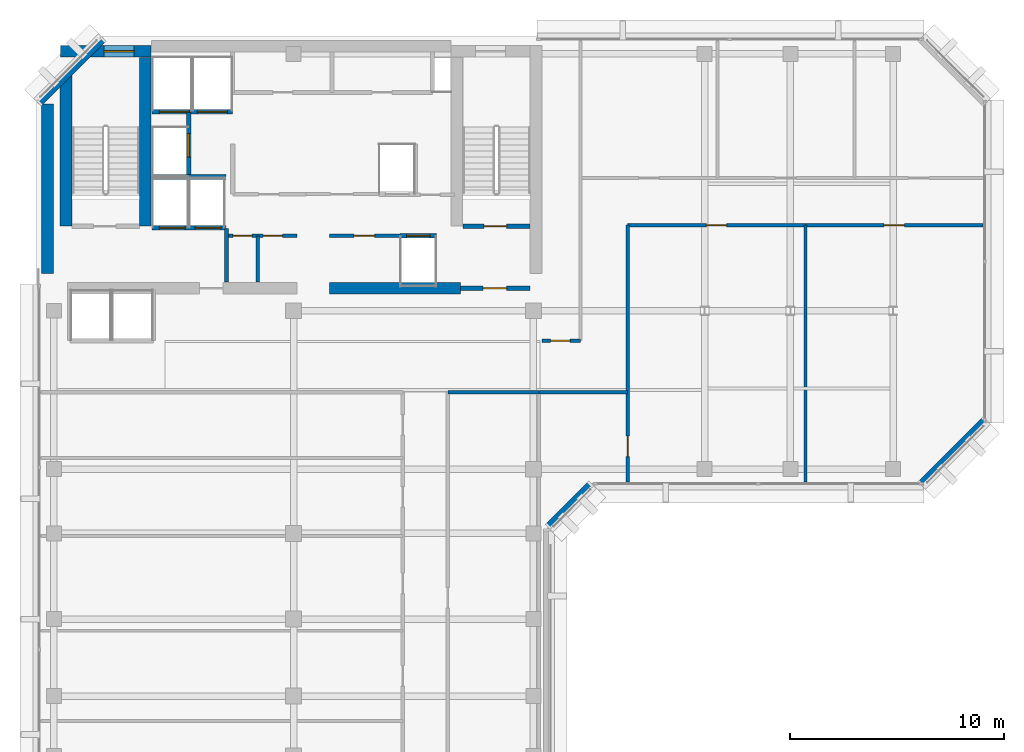
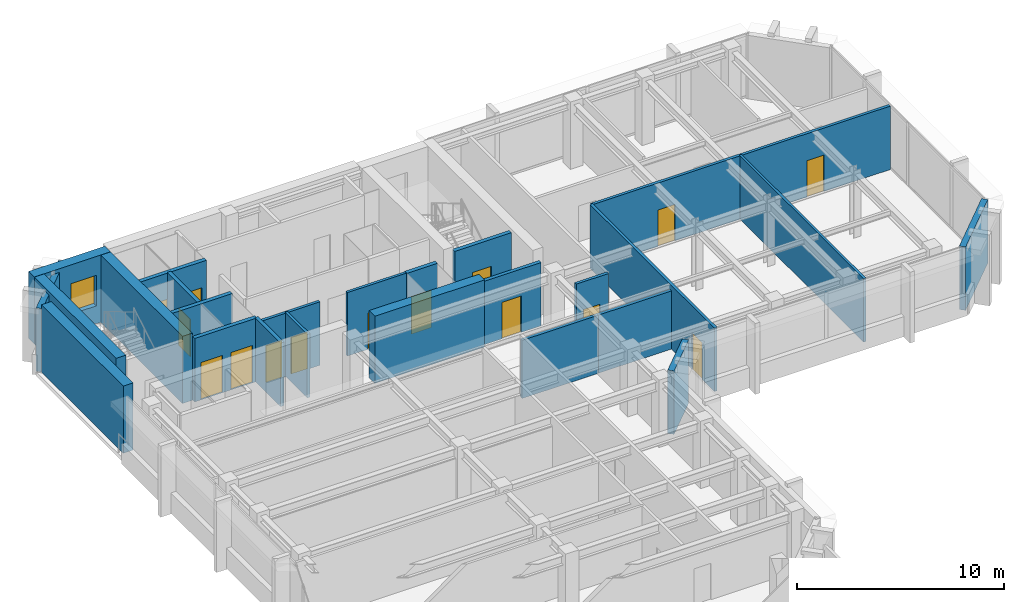
# One storey, part 7 of 11: 25 walls, 15 doors, 1 window, 16 openings.
"""IFC4 building model written with IfcOpenShell, lengths in metres."""

from ifc_helpers import new_model, si_unit, direction, frame, frame_2d, origin, place, context, subcontext, project, spatial, rectangle, extrude, material, layer, layer_set, type_object, element, fill, save


model = new_model("IFC4")

# Units and contexts
model_context = context("Model", 3, precision=1e-05, world=origin(), true_north=direction((0.0, 1.0)))
body_context = subcontext(model_context, "Body", "Model", "MODEL_VIEW")
ifc_project = project(units=[si_unit("LENGTHUNIT", "METRE"), si_unit("AREAUNIT", "SQUARE_METRE"), si_unit("VOLUMEUNIT", "CUBIC_METRE"), si_unit("PLANEANGLEUNIT", "RADIAN"), si_unit("MASSUNIT", "GRAM", prefix="KILO")], contexts=[model_context])

# Site, building, storey
site_placement = place(None, origin())
site = spatial("IfcSite", under=ifc_project, at=site_placement, CompositionType="ELEMENT")
building_placement = place(site_placement, origin())
building = spatial("IfcBuilding", under=site, at=building_placement, Name="Kefirva Bronze Tower", CompositionType="ELEMENT")
storey_placement = place(building_placement, frame((0.0, 0.0, 315.81005859375)))
storey = spatial("IfcBuildingStorey", under=building, at=storey_placement, Name="L77", CompositionType="ELEMENT", Elevation=315.81005859375)

# Wall
ifc_material_1 = material(Name="Gypsum acoustic partition")
ifc_layer_1 = layer(ifc_material_1, 0.1298828125, Name="Gypsum acoustic partition")
ifc_layer_set_1 = layer_set([ifc_layer_1], Name="Gypsum acoustic partition")
wall_type_1 = type_object("IfcWallType", Name="Acoustic Office Partition 130mm", PredefinedType="PARTITIONING", material=ifc_layer_set_1)
wall_1_placement = place(storey_placement, frame((35.905029296875, 25.18994140625, 0.0), z_axis=(0.0, 0.0, 1.0), x_axis=(0.0, 1.0, 0.0)))
element("IfcWall", 1, at=wall_1_placement, inside=storey, type_object=wall_type_1, Name="L77 Partition W-L77-ESD1", PredefinedType="PARTITIONING", context=body_context, shape_type="SweptSolid", body=[
    extrude(rectangle(XDim=12.010009765625, YDim=0.1298828125, at=frame_2d((6.0048828125, 0.0))), origin(), (0.0, 0.0, 1.0), 3.739990234375),
])

# Wall, opening, door
ifc_layer_2 = layer(ifc_material_1, 0.14990234375, Name="Gypsum acoustic partition")
ifc_layer_set_2 = layer_set([ifc_layer_2], Name="Gypsum acoustic partition")
wall_type_2 = type_object("IfcWallType", Name="Executive Suite Partition 150mm", PredefinedType="PARTITIONING", material=ifc_layer_set_2)
wall_2_placement = place(storey_placement, frame((13.679931640625, 36.699951171875, 0.0), z_axis=(0.0, 0.0, 1.0), x_axis=(1.0, 0.0, 0.0)))
wall_2 = element("IfcWall", 2, at=wall_2_placement, inside=storey, type_object=wall_type_2, Name="L77 Partition W-L77-RECMP1", PredefinedType="PARTITIONING", context=body_context, shape_type="SweptSolid", body=[
    extrude(rectangle(XDim=3.280029296875, YDim=0.14990234375, at=frame_2d((1.64013671875, 0.0))), origin(), (0.0, 0.0, 1.0), 3.739990234375),
])
opening_1_placement = place(wall_2_placement, frame((1.14990234375, 0.0, 0.0)))
opening_1 = element("IfcOpeningElement", 3, at=opening_1_placement, cuts=wall_2, Name="Opening L77-D-RECMP1", PredefinedType="OPENING", context=body_context, shape_type="SweptSolid", body=[
    extrude(rectangle(XDim=0.949951171875, YDim=2.14990234375, at=frame_2d((0.47509765625, 1.074951171875))), frame((0.0, 0.0849609375, 0.0), z_axis=(0.0, -1.0, 0.0), x_axis=(1.0, 0.0, 0.0)), (0.0, 0.0, 1.0), 0.169921875),
])
ifc_material_2 = material(Name="Acoustic hardwood oak", Category="wood")
door_type_1 = type_object("IfcDoorType", Name="Office & Meeting Room Door 950x2150", OperationType="NOTDEFINED", PredefinedType="DOOR", material=ifc_material_2)
door_1_placement = place(opening_1_placement, origin())
door_1 = element("IfcDoor", 4, at=door_1_placement, inside=storey, type_object=door_type_1, Name="Door L77-D-RECMP1", OperationType="SINGLE_SWING_LEFT", OverallHeight=2.14990234375, OverallWidth=0.949951171875, PredefinedType="DOOR", context=body_context, shape_type="SweptSolid", body=[
    extrude(rectangle(XDim=0.949951171875, YDim=2.14990234375, at=frame_2d((0.47509765625, 1.074951171875))), frame((0.0, 0.02490234375, 0.0), z_axis=(0.0, -1.0, 0.0), x_axis=(1.0, 0.0, 0.0)), (0.0, 0.0, 1.0), 0.050048828125),
])
fill(opening_1, door_1)

ifc_material_3 = material(Name="Gypsum fireboard shaftwall")
ifc_layer_3 = layer(ifc_material_3, 0.219970703125, Name="Gypsum fireboard shaftwall")
ifc_layer_set_3 = layer_set([ifc_layer_3], Name="Gypsum fireboard shaftwall")
wall_type_3 = type_object("IfcWallType", Name="Fire-Rated Shaft Enclosure Wall 220mm", PredefinedType="PARTITIONING", material=ifc_layer_set_3)
wall_3_placement = place(storey_placement, frame((19.89990234375, 37.14990234375, 0.0), z_axis=(0.0, 0.0, 1.0), x_axis=(1.0, 0.0, 0.0)))
wall_3 = element("IfcWall", 5, at=wall_3_placement, inside=storey, type_object=wall_type_3, Name="L77 Partition W-L77-ST2S", PredefinedType="PARTITIONING", context=body_context, shape_type="SweptSolid", body=[
    extrude(rectangle(XDim=3.150146484375, YDim=0.219970703125, at=frame_2d((1.5751953125, 0.0))), origin(), (0.0, 0.0, 1.0), 3.739990234375),
])
opening_2_placement = place(wall_3_placement, frame((2.050048828125, 0.0, 0.0), z_axis=(0.0, 0.0, 1.0), x_axis=(-1.0, 0.0, 0.0)))
opening_2 = element("IfcOpeningElement", 6, at=opening_2_placement, cuts=wall_3, Name="Opening L77-D003", PredefinedType="OPENING", context=body_context, shape_type="SweptSolid", body=[
    extrude(rectangle(XDim=1.050048828125, YDim=2.14990234375, at=frame_2d((0.52490234375, 1.074951171875))), frame((0.0, 0.1201171875, 0.0), z_axis=(0.0, -1.0, 0.0), x_axis=(1.0, 0.0, 0.0)), (0.0, 0.0, 1.0), 0.239990234375),
])
ifc_material_4 = material(Name="Painted galvanized steel", Category="steel")
door_type_2 = type_object("IfcDoorType", Name="Fire Stair Enclosure Door 1050x2150 FD90S", OperationType="NOTDEFINED", PredefinedType="DOOR", material=ifc_material_4)
door_2_placement = place(opening_2_placement, origin())
door_2 = element("IfcDoor", 7, at=door_2_placement, inside=storey, type_object=door_type_2, Name="Door L77-D003", OperationType="SINGLE_SWING_LEFT", OverallHeight=2.14990234375, OverallWidth=1.050048828125, PredefinedType="DOOR", context=body_context, shape_type="SweptSolid", body=[
    extrude(rectangle(XDim=1.050048828125, YDim=2.14990234375, at=frame_2d((0.52490234375, 1.074951171875))), frame((0.0, 0.02490234375, 0.0), z_axis=(0.0, -1.0, 0.0), x_axis=(1.0, 0.0, 0.0)), (0.0, 0.0, 1.0), 0.050048828125),
])
fill(opening_2, door_2)

# Wall, openings, doors
wall_4_placement = place(storey_placement, frame((5.3798828125, 37.080078125, 0.0), z_axis=(0.0, 0.0, 1.0), x_axis=(1.0, 0.0, 0.0)))
wall_4 = element("IfcWall", 8, at=wall_4_placement, inside=storey, type_object=wall_type_3, Name="L77 Partition W-L77-FFS", PredefinedType="PARTITIONING", context=body_context, shape_type="SweptSolid", body=[
    extrude(rectangle(XDim=3.460205078125, YDim=0.219970703125, at=frame_2d((1.72998046875, 0.0))), origin(), (0.0, 0.0, 1.0), 3.739990234375),
])
opening_3_placement = place(wall_4_placement, frame((1.550048828125, 0.0, 0.0), z_axis=(0.0, 0.0, 1.0), x_axis=(-1.0, 0.0, 0.0)))
opening_3 = element("IfcOpeningElement", 9, at=opening_3_placement, cuts=wall_4, Name="Opening L77-LD-FF1", PredefinedType="OPENING", context=body_context, shape_type="SweptSolid", body=[
    extrude(rectangle(XDim=1.199951171875, YDim=2.199951171875, at=frame_2d((0.60009765625, 1.10009765625))), frame((0.0, 0.1201171875, 0.0), z_axis=(0.0, -1.0, 0.0), x_axis=(1.0, 0.0, 0.0)), (0.0, 0.0, 1.0), 0.239990234375),
])
opening_4_placement = place(wall_4_placement, frame((3.219970703125, 0.0, 0.0), z_axis=(0.0, 0.0, 1.0), x_axis=(-1.0, 0.0, 0.0)))
opening_4 = element("IfcOpeningElement", 10, at=opening_4_placement, cuts=wall_4, Name="Opening L77-LD-FF2", PredefinedType="OPENING", context=body_context, shape_type="SweptSolid", body=[
    extrude(rectangle(XDim=1.199951171875, YDim=2.199951171875, at=frame_2d((0.60009765625, 1.10009765625))), frame((0.0, 0.1201171875, 0.0), z_axis=(0.0, -1.0, 0.0), x_axis=(1.0, 0.0, 0.0)), (0.0, 0.0, 1.0), 0.239990234375),
])
ifc_material_5 = material(Name="Stainless steel 316", Category="steel")
door_type_3 = type_object("IfcDoorType", Name="Firefighting Lift Sliding Door 1200x2200", OperationType="SLIDING_TO_RIGHT", PredefinedType="DOOR", material=ifc_material_5)
door_3_placement = place(opening_3_placement, origin())
door_3 = element("IfcDoor", 11, at=door_3_placement, inside=storey, type_object=door_type_3, Name="Door L77-LD-FF1", OperationType="SLIDING_TO_RIGHT", OverallHeight=2.199951171875, OverallWidth=1.199951171875, PredefinedType="DOOR", context=body_context, shape_type="SweptSolid", body=[
    extrude(rectangle(XDim=1.199951171875, YDim=2.199951171875, at=frame_2d((0.60009765625, 1.10009765625))), frame((0.0, 0.02490234375, 0.0), z_axis=(0.0, -1.0, 0.0), x_axis=(1.0, 0.0, 0.0)), (0.0, 0.0, 1.0), 0.050048828125),
])
fill(opening_3, door_3)
door_4_placement = place(opening_4_placement, origin())
door_4 = element("IfcDoor", 12, at=door_4_placement, inside=storey, type_object=door_type_3, Name="Door L77-LD-FF2", OperationType="SLIDING_TO_RIGHT", OverallHeight=2.199951171875, OverallWidth=1.199951171875, PredefinedType="DOOR", context=body_context, shape_type="SweptSolid", body=[
    extrude(rectangle(XDim=1.199951171875, YDim=2.199951171875, at=frame_2d((0.60009765625, 1.10009765625))), frame((0.0, 0.02490234375, 0.0), z_axis=(0.0, -1.0, 0.0), x_axis=(1.0, 0.0, 0.0)), (0.0, 0.0, 1.0), 0.050048828125),
])
fill(opening_4, door_4)

# Wall
wall_5_placement = place(storey_placement, frame((5.3798828125, 39.449951171875, 0.0), z_axis=(0.0, 0.0, 1.0), x_axis=(1.0, 0.0, 0.0)))
element("IfcWall", 13, at=wall_5_placement, inside=storey, type_object=wall_type_3, Name="L77 Partition W-L77-FFN", PredefinedType="PARTITIONING", context=body_context, shape_type="SweptSolid", body=[
    extrude(rectangle(XDim=3.460205078125, YDim=0.219970703125, at=frame_2d((1.72998046875, 0.0))), origin(), (0.0, 0.0, 1.0), 3.739990234375),
])

# Wall, openings, doors
wall_6_placement = place(storey_placement, frame((5.3798828125, 42.5, 0.0), z_axis=(0.0, 0.0, 1.0), x_axis=(1.0, 0.0, 0.0)))
wall_6 = element("IfcWall", 14, at=wall_6_placement, inside=storey, type_object=wall_type_3, Name="L77 Partition W-L77-SVS", PredefinedType="PARTITIONING", context=body_context, shape_type="SweptSolid", body=[
    extrude(rectangle(XDim=3.77001953125, YDim=0.219970703125, at=frame_2d((1.885009765625, 0.0))), origin(), (0.0, 0.0, 1.0), 3.739990234375),
])
opening_5_placement = place(wall_6_placement, frame((1.75, 0.0, 0.0), z_axis=(0.0, 0.0, 1.0), x_axis=(-1.0, 0.0, 0.0)))
opening_5 = element("IfcOpeningElement", 15, at=opening_5_placement, cuts=wall_6, Name="Opening L77-LD-SV1", PredefinedType="OPENING", context=body_context, shape_type="SweptSolid", body=[
    extrude(rectangle(XDim=1.39990234375, YDim=2.199951171875, at=frame_2d((0.699951171875, 1.10009765625))), frame((0.0, 0.1201171875, 0.0), z_axis=(0.0, -1.0, 0.0), x_axis=(1.0, 0.0, 0.0)), (0.0, 0.0, 1.0), 0.239990234375),
])
opening_6_placement = place(wall_6_placement, frame((3.52978515625, 0.0, 0.0), z_axis=(0.0, 0.0, 1.0), x_axis=(-1.0, 0.0, 0.0)))
opening_6 = element("IfcOpeningElement", 16, at=opening_6_placement, cuts=wall_6, Name="Opening L77-LD-SV2", PredefinedType="OPENING", context=body_context, shape_type="SweptSolid", body=[
    extrude(rectangle(XDim=1.39990234375, YDim=2.199951171875, at=frame_2d((0.699951171875, 1.10009765625))), frame((0.0, 0.1201171875, 0.0), z_axis=(0.0, -1.0, 0.0), x_axis=(1.0, 0.0, 0.0)), (0.0, 0.0, 1.0), 0.239990234375),
])
door_type_4 = type_object("IfcDoorType", Name="Goods Lift Bi-Parting Sliding Door 1400x2200", OperationType="SLIDING_TO_LEFT", PredefinedType="DOOR", material=ifc_material_5)
door_5_placement = place(opening_5_placement, origin())
door_5 = element("IfcDoor", 17, at=door_5_placement, inside=storey, type_object=door_type_4, Name="Door L77-LD-SV1", OperationType="SLIDING_TO_LEFT", OverallHeight=2.199951171875, OverallWidth=1.39990234375, PredefinedType="DOOR", context=body_context, shape_type="SweptSolid", body=[
    extrude(rectangle(XDim=1.39990234375, YDim=2.199951171875, at=frame_2d((0.699951171875, 1.10009765625))), frame((0.0, 0.02490234375, 0.0), z_axis=(0.0, -1.0, 0.0), x_axis=(1.0, 0.0, 0.0)), (0.0, 0.0, 1.0), 0.050048828125),
])
fill(opening_5, door_5)
door_6_placement = place(opening_6_placement, origin())
door_6 = element("IfcDoor", 18, at=door_6_placement, inside=storey, type_object=door_type_4, Name="Door L77-LD-SV2", OperationType="SLIDING_TO_LEFT", OverallHeight=2.199951171875, OverallWidth=1.39990234375, PredefinedType="DOOR", context=body_context, shape_type="SweptSolid", body=[
    extrude(rectangle(XDim=1.39990234375, YDim=2.199951171875, at=frame_2d((0.699951171875, 1.10009765625))), frame((0.0, 0.02490234375, 0.0), z_axis=(0.0, -1.0, 0.0), x_axis=(1.0, 0.0, 0.0)), (0.0, 0.0, 1.0), 0.050048828125),
])
fill(opening_6, door_6)

# Wall, opening, door
wall_7_placement = place(storey_placement, frame((7.10009765625, 39.52001953125, 0.0), z_axis=(0.0, 0.0, 1.0), x_axis=(0.0, 1.0, 0.0)))
wall_7 = element("IfcWall", 19, at=wall_7_placement, inside=storey, type_object=wall_type_3, Name="L77 Partition W-L77-HP3E", PredefinedType="PARTITIONING", context=body_context, shape_type="SweptSolid", body=[
    extrude(rectangle(XDim=2.929931640625, YDim=0.219970703125, at=frame_2d((1.46484375, 0.0))), origin(), (0.0, 0.0, 1.0), 3.739990234375),
])
opening_7_placement = place(wall_7_placement, frame((0.85009765625, 0.0, 0.0)))
opening_7 = element("IfcOpeningElement", 20, at=opening_7_placement, cuts=wall_7, Name="Opening L77-LD-HP3", PredefinedType="OPENING", context=body_context, shape_type="SweptSolid", body=[
    extrude(rectangle(XDim=1.10009765625, YDim=2.199951171875, at=frame_2d((0.550048828125, 1.10009765625))), frame((0.0, 0.1201171875, 0.0), z_axis=(0.0, -1.0, 0.0), x_axis=(1.0, 0.0, 0.0)), (0.0, 0.0, 1.0), 0.239990234375),
])
door_type_5 = type_object("IfcDoorType", Name="Passenger Lift Sliding Landing Door 1100x2200", OperationType="SLIDING_TO_LEFT", PredefinedType="DOOR", material=ifc_material_5)
door_7_placement = place(opening_7_placement, origin())
door_7 = element("IfcDoor", 21, at=door_7_placement, inside=storey, type_object=door_type_5, Name="Door L77-LD-HP3", OperationType="SLIDING_TO_LEFT", OverallHeight=2.199951171875, OverallWidth=1.10009765625, PredefinedType="DOOR", context=body_context, shape_type="SweptSolid", body=[
    extrude(rectangle(XDim=1.10009765625, YDim=2.199951171875, at=frame_2d((0.550048828125, 1.10009765625))), frame((0.0, 0.02490234375, 0.0), z_axis=(0.0, -1.0, 0.0), x_axis=(1.0, 0.0, 0.0)), (0.0, 0.0, 1.0), 0.050048828125),
])
fill(opening_7, door_7)

wall_8_placement = place(storey_placement, frame((16.97998046875, 36.699951171875, 0.0), z_axis=(0.0, 0.0, 1.0), x_axis=(1.0, 0.0, 0.0)))
wall_8 = element("IfcWall", 22, at=wall_8_placement, inside=storey, type_object=wall_type_3, Name="L77 Partition W-L77-HPS", PredefinedType="PARTITIONING", context=body_context, shape_type="SweptSolid", body=[
    extrude(rectangle(XDim=1.699951171875, YDim=0.219970703125, at=frame_2d((0.85009765625, 0.0))), origin(), (0.0, 0.0, 1.0), 3.739990234375),
])
opening_8_placement = place(wall_8_placement, frame((0.300048828125, 0.0, 0.0)))
opening_8 = element("IfcOpeningElement", 23, at=opening_8_placement, cuts=wall_8, Name="Opening L77-LD-HP1", PredefinedType="OPENING", context=body_context, shape_type="SweptSolid", body=[
    extrude(rectangle(XDim=1.10009765625, YDim=2.199951171875, at=frame_2d((0.550048828125, 1.10009765625))), frame((0.0, 0.1201171875, 0.0), z_axis=(0.0, -1.0, 0.0), x_axis=(1.0, 0.0, 0.0)), (0.0, 0.0, 1.0), 0.239990234375),
])
door_8_placement = place(opening_8_placement, origin())
door_8 = element("IfcDoor", 24, at=door_8_placement, inside=storey, type_object=door_type_5, Name="Door L77-LD-HP1", OperationType="SLIDING_TO_LEFT", OverallHeight=2.199951171875, OverallWidth=1.10009765625, PredefinedType="DOOR", context=body_context, shape_type="SweptSolid", body=[
    extrude(rectangle(XDim=1.10009765625, YDim=2.199951171875, at=frame_2d((0.550048828125, 1.10009765625))), frame((0.0, 0.02490234375, 0.0), z_axis=(0.0, -1.0, 0.0), x_axis=(1.0, 0.0, 0.0)), (0.0, 0.0, 1.0), 0.050048828125),
])
fill(opening_8, door_8)

# Wall
ifc_material_6 = material(Name="Gypsum fireboard barrier")
ifc_layer_4 = layer(ifc_material_6, 0.199951171875, Name="Gypsum fireboard barrier")
ifc_layer_set_4 = layer_set([ifc_layer_4], Name="Gypsum fireboard barrier")
wall_type_4 = type_object("IfcWallType", Name="Firefighting Lobby Barrier Wall 200mm", PredefinedType="PARTITIONING", material=ifc_layer_set_4)
wall_9_placement = place(storey_placement, frame((8.860107421875, 34.550048828125, 0.0), z_axis=(0.0, 0.0, 1.0), x_axis=(0.0, 1.0, 0.0)))
element("IfcWall", 25, at=wall_9_placement, inside=storey, type_object=wall_type_4, Name="L77 Partition W-L77-FFLE", PredefinedType="PARTITIONING", context=body_context, shape_type="SweptSolid", body=[
    extrude(rectangle(XDim=2.5, YDim=0.199951171875, at=frame_2d((1.25, 0.0))), origin(), (0.0, 0.0, 1.0), 3.739990234375),
])

# Wall, opening, door
wall_10_placement = place(storey_placement, frame((19.800048828125, 34.25, 0.0), z_axis=(0.0, 0.0, 1.0), x_axis=(1.0, 0.0, 0.0)))
wall_10 = element("IfcWall", 26, at=wall_10_placement, inside=storey, type_object=wall_type_4, Name="L77 Partition W-L77-ST2F", PredefinedType="PARTITIONING", context=body_context, shape_type="SweptSolid", body=[
    extrude(rectangle(XDim=3.25, YDim=0.199951171875, at=frame_2d((1.625, 0.0))), origin(), (0.0, 0.0, 1.0), 3.739990234375),
])
opening_9_placement = place(wall_10_placement, frame((2.150146484375, 0.0, 0.0), z_axis=(0.0, 0.0, 1.0), x_axis=(-1.0, 0.0, 0.0)))
opening_9 = element("IfcOpeningElement", 27, at=opening_9_placement, cuts=wall_10, Name="Opening L77-D004", PredefinedType="OPENING", context=body_context, shape_type="SweptSolid", body=[
    extrude(rectangle(XDim=1.10009765625, YDim=2.14990234375, at=frame_2d((0.550048828125, 1.074951171875))), frame((0.0, 0.10986328125, 0.0), z_axis=(0.0, -1.0, 0.0), x_axis=(1.0, 0.0, 0.0)), (0.0, 0.0, 1.0), 0.219970703125),
])
door_type_6 = type_object("IfcDoorType", Name="Firefighting Lobby Smoke Door 1100x2150 FD60S", OperationType="NOTDEFINED", PredefinedType="DOOR", material=ifc_material_4)
door_9_placement = place(opening_9_placement, origin())
door_9 = element("IfcDoor", 28, at=door_9_placement, inside=storey, type_object=door_type_6, Name="Door L77-D004", OperationType="SINGLE_SWING_RIGHT", OverallHeight=2.14990234375, OverallWidth=1.10009765625, PredefinedType="DOOR", context=body_context, shape_type="SweptSolid", body=[
    extrude(rectangle(XDim=1.10009765625, YDim=2.14990234375, at=frame_2d((0.550048828125, 1.074951171875))), frame((0.0, 0.02490234375, 0.0), z_axis=(0.0, -1.0, 0.0), x_axis=(1.0, 0.0, 0.0)), (0.0, 0.0, 1.0), 0.050048828125),
])
fill(opening_9, door_9)

# Walls
ifc_material_7 = material(Name="Precast concrete C40/50", Category="concrete")
ifc_layer_5 = layer(ifc_material_7, 0.320068359375, Name="Precast concrete C40/50")
ifc_layer_set_5 = layer_set([ifc_layer_5], Name="Precast concrete C40/50")
wall_type_5 = type_object("IfcWallType", Name="Precast Insulated Exterior Wall 320mm", PredefinedType="SOLIDWALL", material=ifc_layer_set_5)
wall_11_placement = place(storey_placement, frame((23.92578125, 23.152099609375, 0.0), z_axis=(0.0, 0.0, 1.0), x_axis=(0.707106781187, 0.707106781187, 0.0)))
element("IfcWall", 29, at=wall_11_placement, inside=storey, type_object=wall_type_5, Name="L77 Exterior Facade Wall 3", PredefinedType="SOLIDWALL", context=body_context, shape_type="SweptSolid", body=[
    extrude(rectangle(XDim=2.71826171875, YDim=0.320068359375, at=frame_2d((1.359130859375, 0.0))), origin(), (0.0, 0.0, 1.0), 3.739990234375),
])
for number, where, z_axis, x_axis, name in (
    (30, (41.32568359375, 25.152099609375, 0.0), (0.0, 0.0, 1.0), (0.707136318428, 0.707077242712, 0.0), "L77 Exterior Facade Wall 4"),
    (31, (3.07421875, 45.847900390625, 0.0), (0.0, 0.0, 1.0), (-0.707106781187, -0.707106781187, 0.0), "L77 Exterior Facade Wall 6"),
):
    element("IfcWall", number, at=place(storey_placement, frame(where, z_axis=z_axis, x_axis=x_axis)), inside=storey, type_object=wall_type_5, Name=name, PredefinedType="SOLIDWALL", context=body_context, shape_type="SweptSolid", body=[
        extrude(rectangle(XDim=4.132568359375, YDim=0.320068359375, at=frame_2d((2.06640625, 0.0))), origin(), (0.0, 0.0, 1.0), 3.739990234375),
    ])

# Wall, openings, doors
ifc_layer_6 = layer(ifc_material_1, 0.159912109375, Name="Gypsum acoustic partition")
ifc_layer_set_6 = layer_set([ifc_layer_6], Name="Gypsum acoustic partition")
wall_type_6 = type_object("IfcWallType", Name="Protected Corridor Partition 160mm", PredefinedType="PARTITIONING", material=ifc_layer_set_6)
wall_12_placement = place(storey_placement, frame((8.89990234375, 36.699951171875, 0.0), z_axis=(0.0, 0.0, 1.0), x_axis=(1.0, 0.0, 0.0)))
wall_12 = element("IfcWall", 32, at=wall_12_placement, inside=storey, type_object=wall_type_6, Name="L77 Partition W-L77-RECLP1", PredefinedType="PARTITIONING", context=body_context, shape_type="SweptSolid", body=[
    extrude(rectangle(XDim=3.25, YDim=0.159912109375, at=frame_2d((1.625, 0.0))), origin(), (0.0, 0.0, 1.0), 3.739990234375),
])
opening_10_placement = place(wall_12_placement, frame((0.260009765625, 0.0, 0.0)))
opening_10 = element("IfcOpeningElement", 33, at=opening_10_placement, cuts=wall_12, Name="Opening L77-D-RECLP1A", PredefinedType="OPENING", context=body_context, shape_type="SweptSolid", body=[
    extrude(rectangle(XDim=0.89990234375, YDim=2.14990234375, at=frame_2d((0.449951171875, 1.074951171875))), frame((0.0, 0.08984375, 0.0), z_axis=(0.0, -1.0, 0.0), x_axis=(1.0, 0.0, 0.0)), (0.0, 0.0, 1.0), 0.179931640625),
])
opening_11_placement = place(wall_12_placement, frame((1.679931640625, 0.0, 0.0)))
opening_11 = element("IfcOpeningElement", 34, at=opening_11_placement, cuts=wall_12, Name="Opening L77-D-RECLP1B", PredefinedType="OPENING", context=body_context, shape_type="SweptSolid", body=[
    extrude(rectangle(XDim=0.89990234375, YDim=2.14990234375, at=frame_2d((0.449951171875, 1.074951171875))), frame((0.0, 0.08984375, 0.0), z_axis=(0.0, -1.0, 0.0), x_axis=(1.0, 0.0, 0.0)), (0.0, 0.0, 1.0), 0.179931640625),
])
door_type_7 = type_object("IfcDoorType", Name="Core Archive & Server Fire Door 900x2150 FD60S", OperationType="NOTDEFINED", PredefinedType="DOOR", material=ifc_material_4)
door_10_placement = place(opening_10_placement, origin())
door_10 = element("IfcDoor", 35, at=door_10_placement, inside=storey, type_object=door_type_7, Name="Door L77-D-RECLP1A", OperationType="SINGLE_SWING_RIGHT", OverallHeight=2.14990234375, OverallWidth=0.89990234375, PredefinedType="DOOR", context=body_context, shape_type="SweptSolid", body=[
    extrude(rectangle(XDim=0.89990234375, YDim=2.14990234375, at=frame_2d((0.449951171875, 1.074951171875))), frame((0.0, 0.02490234375, 0.0), z_axis=(0.0, -1.0, 0.0), x_axis=(1.0, 0.0, 0.0)), (0.0, 0.0, 1.0), 0.050048828125),
])
fill(opening_10, door_10)
door_11_placement = place(opening_11_placement, origin())
door_11 = element("IfcDoor", 36, at=door_11_placement, inside=storey, type_object=door_type_7, Name="Door L77-D-RECLP1B", OperationType="SINGLE_SWING_LEFT", OverallHeight=2.14990234375, OverallWidth=0.89990234375, PredefinedType="DOOR", context=body_context, shape_type="SweptSolid", body=[
    extrude(rectangle(XDim=0.89990234375, YDim=2.14990234375, at=frame_2d((0.449951171875, 1.074951171875))), frame((0.0, 0.02490234375, 0.0), z_axis=(0.0, -1.0, 0.0), x_axis=(1.0, 0.0, 0.0)), (0.0, 0.0, 1.0), 0.050048828125),
])
fill(opening_11, door_11)

# Walls
wall_13_placement = place(storey_placement, frame((10.320068359375, 34.550048828125, 0.0), z_axis=(0.0, 0.0, 1.0), x_axis=(0.0, 1.0, 0.0)))
element("IfcWall", 37, at=wall_13_placement, inside=storey, type_object=wall_type_6, Name="L77 Partition W-L77-RECLP1D", PredefinedType="PARTITIONING", context=body_context, shape_type="SweptSolid", body=[
    extrude(rectangle(XDim=2.14990234375, YDim=0.159912109375, at=frame_2d((1.074951171875, 0.0))), origin(), (0.0, 0.0, 1.0), 3.739990234375),
])
wall_14_placement = place(storey_placement, frame((19.199951171875, 29.39990234375, 0.0), z_axis=(0.0, 0.0, 1.0), x_axis=(1.0, 0.0, 0.0)))
element("IfcWall", 38, at=wall_14_placement, inside=storey, type_object=wall_type_6, Name="L77 Partition W-L77-NET", PredefinedType="PARTITIONING", context=body_context, shape_type="SweptSolid", body=[
    extrude(rectangle(XDim=4.25, YDim=0.159912109375, at=frame_2d((2.125, 0.0))), origin(), (0.0, 0.0, 1.0), 3.425048828125),
])

# Wall, opening, door
wall_15_placement = place(storey_placement, frame((27.60009765625, 25.18994140625, 0.0), z_axis=(0.0, 0.0, 1.0), x_axis=(0.0, 1.0, 0.0)))
wall_15 = element("IfcWall", 39, at=wall_15_placement, inside=storey, type_object=wall_type_6, Name="L77 Partition W-L77-ELKE", PredefinedType="PARTITIONING", context=body_context, shape_type="SweptSolid", body=[
    extrude(rectangle(XDim=12.010009765625, YDim=0.159912109375, at=frame_2d((6.0048828125, 0.0))), origin(), (0.0, 0.0, 1.0), 3.739990234375),
])
opening_12_placement = place(wall_15_placement, frame((2.14990234375, 0.0, 0.0), z_axis=(0.0, 0.0, 1.0), x_axis=(-1.0, 0.0, 0.0)))
opening_12 = element("IfcOpeningElement", 40, at=opening_12_placement, cuts=wall_15, Name="Opening L77-D-ESW", PredefinedType="OPENING", context=body_context, shape_type="SweptSolid", body=[
    extrude(rectangle(XDim=0.949951171875, YDim=2.14990234375, at=frame_2d((0.47509765625, 1.074951171875))), frame((0.0, 0.08984375, 0.0), z_axis=(0.0, -1.0, 0.0), x_axis=(1.0, 0.0, 0.0)), (0.0, 0.0, 1.0), 0.179931640625),
])
door_12_placement = place(opening_12_placement, origin())
door_12 = element("IfcDoor", 41, at=door_12_placement, inside=storey, type_object=door_type_1, Name="Door L77-D-ESW", OperationType="SINGLE_SWING_LEFT", OverallHeight=2.14990234375, OverallWidth=0.949951171875, PredefinedType="DOOR", context=body_context, shape_type="SweptSolid", body=[
    extrude(rectangle(XDim=0.949951171875, YDim=2.14990234375, at=frame_2d((0.47509765625, 1.074951171875))), frame((0.0, 0.02490234375, 0.0), z_axis=(0.0, -1.0, 0.0), x_axis=(1.0, 0.0, 0.0)), (0.0, 0.0, 1.0), 0.050048828125),
])
fill(opening_12, door_12)

# Wall
wall_16_placement = place(storey_placement, frame((23.449951171875, 29.39990234375, 0.0), z_axis=(0.0, 0.0, 1.0), x_axis=(1.0, 0.0, 0.0)))
element("IfcWall", 42, at=wall_16_placement, inside=storey, type_object=wall_type_6, Name="L77 Partition W-L77-ECS0", PredefinedType="PARTITIONING", context=body_context, shape_type="SweptSolid", body=[
    extrude(rectangle(XDim=4.150146484375, YDim=0.159912109375, at=frame_2d((2.0751953125, 0.0))), origin(), (0.0, 0.0, 1.0), 3.425048828125),
])

# Wall, openings, doors
wall_17_placement = place(storey_placement, frame((27.60009765625, 37.199951171875, 0.0), z_axis=(0.0, 0.0, 1.0), x_axis=(1.0, 0.0, 0.0)))
wall_17 = element("IfcWall", 43, at=wall_17_placement, inside=storey, type_object=wall_type_6, Name="L77 Partition W-L77-ECS", PredefinedType="PARTITIONING", context=body_context, shape_type="SweptSolid", body=[
    extrude(rectangle(XDim=16.60986328125, YDim=0.159912109375, at=frame_2d((8.304931640625, 0.0))), origin(), (0.0, 0.0, 1.0), 3.739990234375),
])
opening_13_placement = place(wall_17_placement, frame((4.62744140625, 0.0, 0.0), z_axis=(0.0, 0.0, 1.0), x_axis=(-1.0, 0.0, 0.0)))
opening_13 = element("IfcOpeningElement", 44, at=opening_13_placement, cuts=wall_17, Name="Opening L77-D-ES1", PredefinedType="OPENING", context=body_context, shape_type="SweptSolid", body=[
    extrude(rectangle(XDim=0.949951171875, YDim=2.14990234375, at=frame_2d((0.47509765625, 1.074951171875))), frame((0.0, 0.08984375, 0.0), z_axis=(0.0, -1.0, 0.0), x_axis=(1.0, 0.0, 0.0)), (0.0, 0.0, 1.0), 0.179931640625),
])
opening_14_placement = place(wall_17_placement, frame((12.932373046875, 0.0, 0.0), z_axis=(0.0, 0.0, 1.0), x_axis=(-1.0, 0.0, 0.0)))
opening_14 = element("IfcOpeningElement", 45, at=opening_14_placement, cuts=wall_17, Name="Opening L77-D-ES2", PredefinedType="OPENING", context=body_context, shape_type="SweptSolid", body=[
    extrude(rectangle(XDim=0.949951171875, YDim=2.14990234375, at=frame_2d((0.47509765625, 1.074951171875))), frame((0.0, 0.08984375, 0.0), z_axis=(0.0, -1.0, 0.0), x_axis=(1.0, 0.0, 0.0)), (0.0, 0.0, 1.0), 0.179931640625),
])
door_13_placement = place(opening_13_placement, origin())
door_13 = element("IfcDoor", 46, at=door_13_placement, inside=storey, type_object=door_type_1, Name="Door L77-D-ES1", OperationType="SINGLE_SWING_RIGHT", OverallHeight=2.14990234375, OverallWidth=0.949951171875, PredefinedType="DOOR", context=body_context, shape_type="SweptSolid", body=[
    extrude(rectangle(XDim=0.949951171875, YDim=2.14990234375, at=frame_2d((0.47509765625, 1.074951171875))), frame((0.0, 0.02490234375, 0.0), z_axis=(0.0, -1.0, 0.0), x_axis=(1.0, 0.0, 0.0)), (0.0, 0.0, 1.0), 0.050048828125),
])
fill(opening_13, door_13)
door_14_placement = place(opening_14_placement, origin())
door_14 = element("IfcDoor", 47, at=door_14_placement, inside=storey, type_object=door_type_1, Name="Door L77-D-ES2", OperationType="SINGLE_SWING_LEFT", OverallHeight=2.14990234375, OverallWidth=0.949951171875, PredefinedType="DOOR", context=body_context, shape_type="SweptSolid", body=[
    extrude(rectangle(XDim=0.949951171875, YDim=2.14990234375, at=frame_2d((0.47509765625, 1.074951171875))), frame((0.0, 0.02490234375, 0.0), z_axis=(0.0, -1.0, 0.0), x_axis=(1.0, 0.0, 0.0)), (0.0, 0.0, 1.0), 0.050048828125),
])
fill(opening_14, door_14)

# Wall, opening, door
wall_18_placement = place(storey_placement, frame((23.60009765625, 31.800048828125, 0.0), z_axis=(0.0, 0.0, 1.0), x_axis=(1.0, 0.0, 0.0)))
wall_18 = element("IfcWall", 48, at=wall_18_placement, inside=storey, type_object=wall_type_6, Name="L77 Partition W-L77-EPKS", PredefinedType="PARTITIONING", context=body_context, shape_type="SweptSolid", body=[
    extrude(rectangle(XDim=1.7998046875, YDim=0.159912109375, at=frame_2d((0.89990234375, 0.0))), origin(), (0.0, 0.0, 1.0), 3.739990234375),
])
opening_15_placement = place(wall_18_placement, frame((0.39990234375, 0.0, 0.0)))
opening_15 = element("IfcOpeningElement", 49, at=opening_15_placement, cuts=wall_18, Name="Opening L77-D-EPK", PredefinedType="OPENING", context=body_context, shape_type="SweptSolid", body=[
    extrude(rectangle(XDim=0.919921875, YDim=2.10009765625, at=frame_2d((0.4599609375, 1.050048828125))), frame((0.0, 0.08984375, 0.0), z_axis=(0.0, -1.0, 0.0), x_axis=(1.0, 0.0, 0.0)), (0.0, 0.0, 1.0), 0.179931640625),
])
ifc_material_8 = material(Name="Moisture-resistant timber", Category="wood")
door_type_8 = type_object("IfcDoorType", Name="Accessible Sanitary & WC Door 920x2100", OperationType="NOTDEFINED", PredefinedType="DOOR", material=ifc_material_8)
door_15_placement = place(opening_15_placement, origin())
door_15 = element("IfcDoor", 50, at=door_15_placement, inside=storey, type_object=door_type_8, Name="Door L77-D-EPK", OperationType="SINGLE_SWING_RIGHT", OverallHeight=2.10009765625, OverallWidth=0.919921875, PredefinedType="DOOR", context=body_context, shape_type="SweptSolid", body=[
    extrude(rectangle(XDim=0.919921875, YDim=2.10009765625, at=frame_2d((0.4599609375, 1.050048828125))), frame((0.0, 0.02490234375, 0.0), z_axis=(0.0, -1.0, 0.0), x_axis=(1.0, 0.0, 0.0)), (0.0, 0.0, 1.0), 0.050048828125),
])
fill(opening_15, door_15)

# Wall
ifc_material_9 = material(Name="Concrete C50/60", Category="concrete")
ifc_layer_7 = layer(ifc_material_9, 0.550048828125, Name="Concrete C50/60")
ifc_layer_set_7 = layer_set([ifc_layer_7], Name="Concrete C50/60")
wall_type_7 = type_object("IfcWallType", Name="RC Rear Core Exterior Wall 550mm", PredefinedType="SHEAR", material=ifc_layer_set_7)
wall_19_placement = place(storey_placement, frame((0.5, 34.949951171875, 0.0), z_axis=(0.0, 0.0, 1.0), x_axis=(0.0, 1.0, 0.0)))
element("IfcWall", 51, at=wall_19_placement, inside=storey, type_object=wall_type_7, Name="L77 Rear Core West Shear Wall", PredefinedType="SHEAR", context=body_context, shape_type="SweptSolid", body=[
    extrude(rectangle(XDim=7.900146484375, YDim=0.550048828125, at=frame_2d((3.9501953125, 0.0))), origin(), (0.0, 0.0, 1.0), 3.9599609375),
])

# Wall, opening, window
wall_20_placement = place(storey_placement, frame((1.10009765625, 45.320068359375, 0.0), z_axis=(0.0, 0.0, 1.0), x_axis=(1.0, 0.0, 0.0)))
wall_20 = element("IfcWall", 52, at=wall_20_placement, inside=storey, type_object=wall_type_7, Name="L77 Stair 1 North Shear Wall", PredefinedType="SHEAR", context=body_context, shape_type="SweptSolid", body=[
    extrude(rectangle(XDim=4.239990234375, YDim=0.550048828125, at=frame_2d((2.1201171875, 0.0))), origin(), (0.0, 0.0, 1.0), 3.9599609375),
])
opening_16_placement = place(wall_20_placement, frame((2.050048828125, 0.0, 1.050048828125)))
opening_16 = element("IfcOpeningElement", 53, at=opening_16_placement, cuts=wall_20, Name="Opening WN-03", PredefinedType="OPENING", context=body_context, shape_type="SweptSolid", body=[
    extrude(rectangle(XDim=1.39990234375, YDim=1.800048828125, at=frame_2d((0.699951171875, 0.89990234375))), frame((0.0, 0.28515625, 0.0), z_axis=(0.0, -1.0, 0.0), x_axis=(1.0, 0.0, 0.0)), (0.0, 0.0, 1.0), 0.570068359375),
])
ifc_material_10 = material(Name="Laminated low-E double glazing", Category="glass")
window_type = type_object("IfcWindowType", Name="Rear-Core Stair Daylight Window 1400x1800", PartitioningType="SINGLE_PANEL", PredefinedType="WINDOW", material=ifc_material_10)
window_placement = place(opening_16_placement, origin())
window = element("IfcWindow", 54, at=window_placement, inside=storey, type_object=window_type, Name="L77 Stair 1 Daylight Window", OverallHeight=1.800048828125, OverallWidth=1.39990234375, PartitioningType="SINGLE_PANEL", PredefinedType="WINDOW", context=body_context, shape_type="SweptSolid", body=[
    extrude(rectangle(XDim=1.39990234375, YDim=1.800048828125, at=frame_2d((0.699951171875, 0.89990234375))), frame((0.0, 0.030029296875, 0.0), z_axis=(0.0, -1.0, 0.0), x_axis=(1.0, 0.0, 0.0)), (0.0, 0.0, 1.0), 0.06005859375),
])
fill(opening_16, window)

# Walls
ifc_layer_8 = layer(ifc_material_9, 0.550048828125, Name="Concrete C50/60")
ifc_layer_set_8 = layer_set([ifc_layer_8], Name="Concrete C50/60")
wall_type_8 = type_object("IfcWallType", Name="RC Rear Core Interior Wall 550mm", PredefinedType="SHEAR", material=ifc_layer_set_8)
wall_21_placement = place(storey_placement, frame((13.679931640625, 34.25, 0.0), z_axis=(0.0, 0.0, 1.0), x_axis=(1.0, 0.0, 0.0)))
element("IfcWall", 55, at=wall_21_placement, inside=storey, type_object=wall_type_8, Name="L77 Rear Core South-East Shear Wall", PredefinedType="SHEAR", context=body_context, shape_type="SweptSolid", body=[
    extrude(rectangle(XDim=6.1201171875, YDim=0.550048828125, at=frame_2d((3.06005859375, 0.0))), origin(), (0.0, 0.0, 1.0), 3.9599609375),
])
for number, where, z_axis, x_axis, name in (
    (56, (1.3701171875, 37.14990234375, 0.0), (0.0, 0.0, 1.0), (0.0, 1.0, 0.0), "L77 Stair 1 West Shear Wall"),
    (57, (5.070068359375, 37.14990234375, 0.0), (0.0, 0.0, 1.0), (0.0, 1.0, 0.0), "L77 Stair 1 East Shear Wall"),
):
    element("IfcWall", number, at=place(storey_placement, frame(where, z_axis=z_axis, x_axis=x_axis)), inside=storey, type_object=wall_type_8, Name=name, PredefinedType="SHEAR", context=body_context, shape_type="SweptSolid", body=[
        extrude(rectangle(XDim=7.89013671875, YDim=0.550048828125, at=frame_2d((3.945068359375, 0.0))), origin(), (0.0, 0.0, 1.0), 3.9599609375),
    ])

save(model, "model.ifc")
